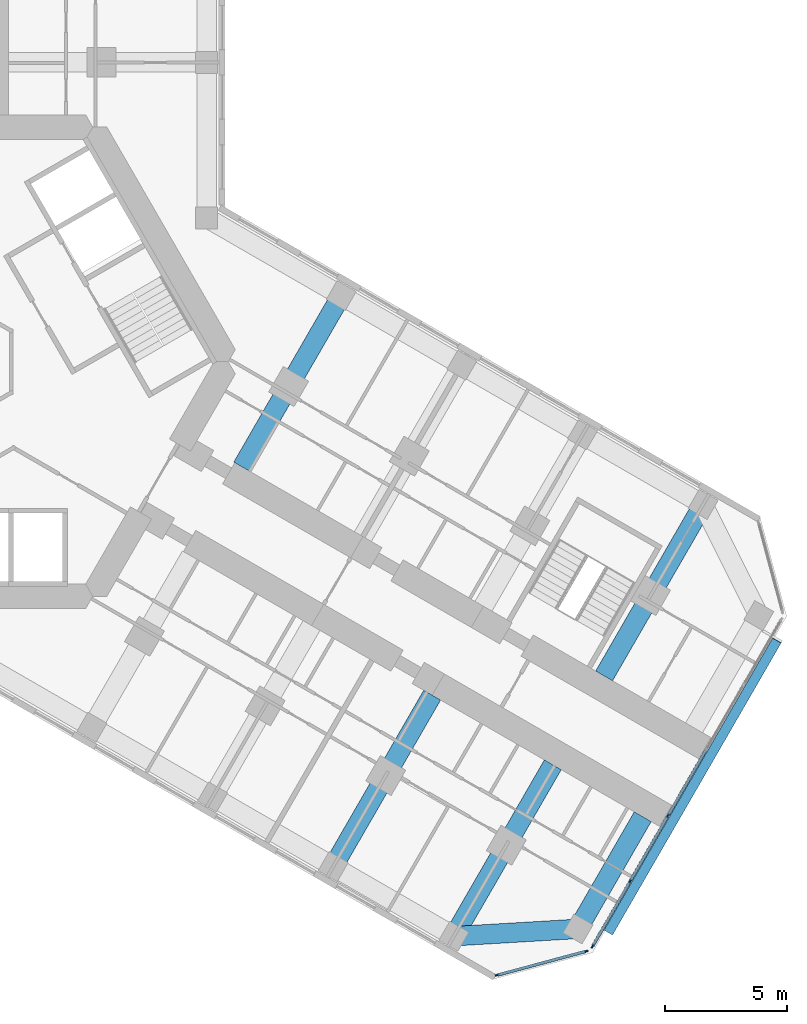
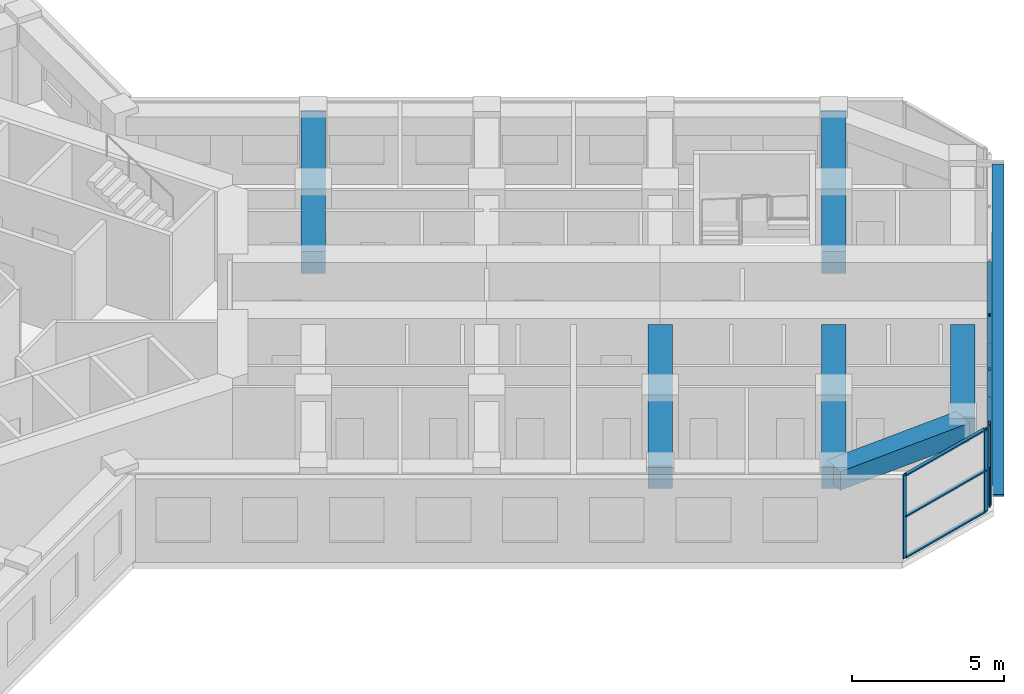
# One storey, part 5 of 21: 15 members, 6 beams, 2 elements without a shape of their own.
"""IFC4 building model written with IfcOpenShell, lengths in metres."""

from ifc_helpers import new_model, si_unit, direction, frame, origin, origin_2d, place, context, subcontext, project, spatial, rectangle, extrude, material, material_profile, profile_set, type_object, element, aggregate, save


model = new_model("IFC4")

# Units and contexts
model_context = context("Model", 3, precision=1e-05, world=origin(), true_north=direction((0.0, 1.0)))
body_context = subcontext(model_context, "Body", "Model", "MODEL_VIEW")
ifc_project = project(units=[si_unit("LENGTHUNIT", "METRE"), si_unit("AREAUNIT", "SQUARE_METRE"), si_unit("VOLUMEUNIT", "CUBIC_METRE"), si_unit("PLANEANGLEUNIT", "RADIAN"), si_unit("MASSUNIT", "GRAM", prefix="KILO")], contexts=[model_context])

# Site, building, storey
site_placement = place(None, origin())
site = spatial("IfcSite", under=ifc_project, at=site_placement, CompositionType="ELEMENT")
building_placement = place(site_placement, origin())
building = spatial("IfcBuilding", under=site, at=building_placement, Name="Kosmar Iwan School Tower", CompositionType="ELEMENT")
storey_placement = place(building_placement, frame((0.0, 0.0, 106.0)))
storey = spatial("IfcBuildingStorey", under=building, at=storey_placement, Name="L26", CompositionType="ELEMENT", Elevation=106.0)

# Member
ifc_material_1 = material(Name="Black anodised aluminium", Category="aluminium")
ifc_material_profile_1 = material_profile(ifc_material_1, rectangle(XDim=0.10009765625, YDim=0.39990234375, at=origin_2d()), Name="FIN 100x400")
ifc_profile_set_1 = profile_set([ifc_material_profile_1], Name="Black anodised aluminium")
member_type_1 = type_object("IfcMemberType", Name="Diagonal fin 100x400", PredefinedType="USERDEFINED", material=ifc_profile_set_1)
member_1_placement = place(storey_placement, frame((26.645263671875, -23.34912109375, -0.14990234375), z_axis=(0.483795538458, 0.837973939202, 0.252470897702), x_axis=(-0.126233699175, -0.218647221293, 0.967604488318)))
element("IfcMember", 1, at=member_1_placement, inside=storey, type_object=member_type_1, Name="Diagonal fin L26-F03", ObjectType="FIN", PredefinedType="USERDEFINED", context=body_context, shape_type="SweptSolid", body=[
    extrude(rectangle(XDim=0.10009765625, YDim=0.39990234375, at=origin_2d()), origin(), (0.0, 0.0, 1.0), 14.258544921875),
])

# Curtain wall, members
ifc_material_2 = material(Name="Dark glass in black aluminium frame", Category="aluminium")
curtain_wall_type_1 = type_object("IfcCurtainWallType", Name="Chamfer curtain wall dark glass", PredefinedType="USERDEFINED", material=ifc_material_2)
curtain_wall_1_placement = place(storey_placement, origin())
curtain_wall_1 = element("IfcCurtainWall", 2, at=curtain_wall_1_placement, inside=storey, type_object=curtain_wall_type_1, Name="Curtain wall L26-F02", ObjectType="FACETED CURTAIN WALL", PredefinedType="USERDEFINED")
ifc_material_3 = material(Name="Black anodised aluminium", Category="aluminium")
ifc_material_profile_2 = material_profile(ifc_material_3, rectangle(XDim=0.06005859375, YDim=0.159912109375, at=origin_2d()), Name="MULLION 60x160")
ifc_profile_set_2 = profile_set([ifc_material_profile_2], Name="Black anodised aluminium")
member_type_2 = type_object("IfcMemberType", Name="Mullion 60x160", PredefinedType="MULLION", material=ifc_profile_set_2)
member_2_placement = place(storey_placement, frame((22.0830078125, -25.102294921875, 0.0), z_axis=(0.0, 0.0, 1.0), x_axis=(-0.258818861462, 0.965925875495, 0.0)))
member_2 = element("IfcMember", 3, at=member_2_placement, type_object=member_type_2, Name="CW2 mullion 1", PredefinedType="MULLION", context=body_context, shape_type="SweptSolid", body=[
    extrude(rectangle(XDim=0.06005859375, YDim=0.159912109375, at=origin_2d()), origin(), (0.0, 0.0, 1.0), 3.35009765625),
])
member_3_placement = place(storey_placement, frame((25.733154296875, -24.124267578125, 0.0), z_axis=(0.0, 0.0, 1.0), x_axis=(-0.258818861462, 0.965925875495, 0.0)))
member_3 = element("IfcMember", 4, at=member_3_placement, type_object=member_type_2, Name="CW2 mullion 2", PredefinedType="MULLION", context=body_context, shape_type="SweptSolid", body=[
    extrude(rectangle(XDim=0.06005859375, YDim=0.159912109375, at=origin_2d()), origin(), (0.0, 0.0, 1.0), 3.35009765625),
])

ifc_material_4 = material(Name="Dark glass in black aluminium frame", Category="aluminium")
curtain_wall_type_2 = type_object("IfcCurtainWallType", Name="Tower curtain wall dark glass", PredefinedType="USERDEFINED", material=ifc_material_4)
curtain_wall_2_placement = place(storey_placement, origin())
curtain_wall_2 = element("IfcCurtainWall", 5, at=curtain_wall_2_placement, inside=storey, type_object=curtain_wall_type_2, Name="Curtain wall L26-F03", ObjectType="UNITISED CURTAIN WALL", PredefinedType="USERDEFINED")
member_4_placement = place(storey_placement, frame((25.9970703125, -23.921630859375, 0.0), z_axis=(0.0, 0.0, 1.0), x_axis=(-0.866025405329, 0.499999997325, 0.0)))
member_4 = element("IfcMember", 6, at=member_4_placement, type_object=member_type_2, Name="CW1 mullion 1", PredefinedType="MULLION", context=body_context, shape_type="SweptSolid", body=[
    extrude(rectangle(XDim=0.06005859375, YDim=0.159912109375, at=origin_2d()), origin(), (0.0, 0.0, 1.0), 3.35009765625),
])
member_5_placement = place(storey_placement, frame((27.53173828125, -21.263671875, 0.0), z_axis=(0.0, 0.0, 1.0), x_axis=(-0.866025405329, 0.499999997325, 0.0)))
member_5 = element("IfcMember", 7, at=member_5_placement, type_object=member_type_2, Name="CW1 mullion 2", PredefinedType="MULLION", context=body_context, shape_type="SweptSolid", body=[
    extrude(rectangle(XDim=0.06005859375, YDim=0.159912109375, at=origin_2d()), origin(), (0.0, 0.0, 1.0), 3.35009765625),
])
member_6_placement = place(storey_placement, frame((29.081298828125, -18.57958984375, 0.0), z_axis=(0.0, 0.0, 1.0), x_axis=(-0.866025405329, 0.499999997325, 0.0)))
member_6 = element("IfcMember", 8, at=member_6_placement, type_object=member_type_2, Name="CW1 mullion 3", PredefinedType="MULLION", context=body_context, shape_type="SweptSolid", body=[
    extrude(rectangle(XDim=0.06005859375, YDim=0.159912109375, at=origin_2d()), origin(), (0.0, 0.0, 1.0), 3.35009765625),
])

# Beams
ifc_material_5 = material(Name="Concrete C50/60", Category="concrete")
ifc_material_profile_3 = material_profile(ifc_material_5, rectangle(XDim=0.800048828125, YDim=0.75, at=origin_2d()), Name="RC 800x750")
ifc_profile_set_3 = profile_set([ifc_material_profile_3], Name="Concrete C50/60")
beam_type_1 = type_object("IfcBeamType", Name="RC tip beam 800x750", PredefinedType="BEAM", material=ifc_profile_set_3)
beam_1_placement = place(storey_placement, frame((20.31787109375, -23.508544921875, 2.97509765625), z_axis=(0.998260616478, 0.058955420358, 0.0), x_axis=(-0.058955420358, 0.998260616478, 0.0)))
element("IfcBeam", 9, at=beam_1_placement, inside=storey, type_object=beam_type_1, Name="Tip beam CR", PredefinedType="BEAM", context=body_context, shape_type="SweptSolid", body=[
    extrude(rectangle(XDim=0.800048828125, YDim=0.75, at=origin_2d()), origin(), (0.0, 0.0, 1.0), 5.08935546875),
])
beam_2_placement = place(storey_placement, frame((25.3984375, -23.20849609375, 2.97509765625), z_axis=(0.499993606316, 0.866029095148, 0.0), x_axis=(-0.866029095148, 0.499993606316, 0.0)))
element("IfcBeam", 10, at=beam_2_placement, inside=storey, type_object=beam_type_1, Name="Tip beam CR to corridor wall", PredefinedType="BEAM", context=body_context, shape_type="SweptSolid", body=[
    extrude(rectangle(XDim=0.800048828125, YDim=0.75, at=origin_2d()), origin(), (0.0, 0.0, 1.0), 5.2998046875),
])
ifc_material_6 = material(Name="Concrete C50/60", Category="concrete")
ifc_material_profile_4 = material_profile(ifc_material_6, rectangle(XDim=0.800048828125, YDim=0.89990234375, at=origin_2d()), Name="RC 800x900")
ifc_profile_set_4 = profile_set([ifc_material_profile_4], Name="Concrete C50/60")
beam_type_2 = type_object("IfcBeamType", Name="RC transverse beam 800x900", PredefinedType="BEAM", material=ifc_profile_set_4)
for number, where, z_axis, x_axis, name in (
    (11, (15.708740234375, 2.70849609375, 2.89990234375), (-0.499999880539, -0.866025472755, 0.0), (0.866025472755, -0.499999880539, 0.0), "Transverse beam CL1"),
    (12, (30.517822265625, -5.841552734375, 2.89990234375), (-0.499999880539, -0.866025472755, 0.0), (0.866025472755, -0.499999880539, 0.0), "Transverse beam CL4"),
    (13, (15.381591796875, -20.658447265625, 2.89990234375), (0.499977274689, 0.866038523851, 0.0), (-0.866038523851, 0.499977274689, 0.0), "Transverse beam CR3"),
    (14, (20.31787109375, -23.508544921875, 2.89990234375), (0.499999880539, 0.866025472755, 0.0), (-0.866025472755, 0.499999880539, 0.0), "Transverse beam CR4"),
):
    element("IfcBeam", number, at=place(storey_placement, frame(where, z_axis=z_axis, x_axis=x_axis)), inside=storey, type_object=beam_type_2, Name=name, PredefinedType="BEAM", context=body_context, shape_type="SweptSolid", body=[
        extrude(rectangle(XDim=0.800048828125, YDim=0.89990234375, at=origin_2d()), origin(), (0.0, 0.0, 1.0), 8.10009765625),
    ])

# Member
ifc_material_7 = material(Name="Black anodised aluminium", Category="aluminium")
ifc_material_profile_5 = material_profile(ifc_material_7, rectangle(XDim=0.1201171875, YDim=0.06005859375, at=origin_2d()), Name="TRANSOM 60x120")
ifc_profile_set_5 = profile_set([ifc_material_profile_5], Name="Black anodised aluminium")
member_type_3 = type_object("IfcMemberType", Name="Transom 60x120", PredefinedType="USERDEFINED", material=ifc_profile_set_5)
member_7_placement = place(storey_placement, frame((22.11181640625, -25.094482421875, 0.030029296875), z_axis=(0.965923731726, 0.258826861991, 0.0), x_axis=(-0.258826861991, 0.965923731726, 0.0)))
member_7 = element("IfcMember", 15, at=member_7_placement, type_object=member_type_3, Name="CW2 transom 1.1", ObjectType="TRANSOM", PredefinedType="USERDEFINED", context=body_context, shape_type="SweptSolid", body=[
    extrude(rectangle(XDim=0.1201171875, YDim=0.06005859375, at=origin_2d()), origin(), (0.0, 0.0, 1.0), 3.71923828125),
])

member_8_placement = place(storey_placement, frame((22.11181640625, -25.094482421875, 1.675048828125), z_axis=(0.965923731726, 0.258826861991, 0.0), x_axis=(-0.258826861991, 0.965923731726, 0.0)))
member_8 = element("IfcMember", 16, at=member_8_placement, type_object=member_type_3, Name="CW2 transom 1.2", ObjectType="TRANSOM", PredefinedType="USERDEFINED", context=body_context, shape_type="SweptSolid", body=[
    extrude(rectangle(XDim=0.1201171875, YDim=0.06005859375, at=origin_2d()), origin(), (0.0, 0.0, 1.0), 3.71923828125),
])

member_9_placement = place(storey_placement, frame((22.11181640625, -25.094482421875, 3.320068359375), z_axis=(0.965923731726, 0.258826861991, 0.0), x_axis=(-0.258826861991, 0.965923731726, 0.0)))
member_9 = element("IfcMember", 17, at=member_9_placement, type_object=member_type_3, Name="CW2 transom 1.3", ObjectType="TRANSOM", PredefinedType="USERDEFINED", context=body_context, shape_type="SweptSolid", body=[
    extrude(rectangle(XDim=0.1201171875, YDim=0.06005859375, at=origin_2d()), origin(), (0.0, 0.0, 1.0), 3.71923828125),
])

aggregate(curtain_wall_1, [member_2, member_3, member_7, member_8, member_9])

member_10_placement = place(storey_placement, frame((26.01220703125, -23.895751953125, 0.030029296875), z_axis=(0.499986971506, 0.866032925658, 0.0), x_axis=(-0.866032925658, 0.499986971506, 0.0)))
member_10 = element("IfcMember", 18, at=member_10_placement, type_object=member_type_3, Name="CW1 transom 1.1", ObjectType="TRANSOM", PredefinedType="USERDEFINED", context=body_context, shape_type="SweptSolid", body=[
    extrude(rectangle(XDim=0.1201171875, YDim=0.06005859375, at=origin_2d()), origin(), (0.0, 0.0, 1.0), 3.00927734375),
])

member_11_placement = place(storey_placement, frame((26.01220703125, -23.895751953125, 3.320068359375), z_axis=(0.499986971506, 0.866032925658, 0.0), x_axis=(-0.866032925658, 0.499986971506, 0.0)))
member_11 = element("IfcMember", 19, at=member_11_placement, type_object=member_type_3, Name="CW1 transom 1.2", ObjectType="TRANSOM", PredefinedType="USERDEFINED", context=body_context, shape_type="SweptSolid", body=[
    extrude(rectangle(XDim=0.1201171875, YDim=0.06005859375, at=origin_2d()), origin(), (0.0, 0.0, 1.0), 3.00927734375),
])

member_12_placement = place(storey_placement, frame((27.546875, -21.237548828125, 0.030029296875), z_axis=(0.499975102327, 0.866039777986, 0.0), x_axis=(-0.866039777986, 0.499975102327, 0.0)))
member_12 = element("IfcMember", 20, at=member_12_placement, type_object=member_type_3, Name="CW1 transom 2.1", ObjectType="TRANSOM", PredefinedType="USERDEFINED", context=body_context, shape_type="SweptSolid", body=[
    extrude(rectangle(XDim=0.1201171875, YDim=0.06005859375, at=origin_2d()), origin(), (0.0, 0.0, 1.0), 3.039306640625),
])

member_13_placement = place(storey_placement, frame((27.546875, -21.237548828125, 3.320068359375), z_axis=(0.499975102327, 0.866039777986, 0.0), x_axis=(-0.866039777986, 0.499975102327, 0.0)))
member_13 = element("IfcMember", 21, at=member_13_placement, type_object=member_type_3, Name="CW1 transom 2.2", ObjectType="TRANSOM", PredefinedType="USERDEFINED", context=body_context, shape_type="SweptSolid", body=[
    extrude(rectangle(XDim=0.1201171875, YDim=0.06005859375, at=origin_2d()), origin(), (0.0, 0.0, 1.0), 3.039306640625),
])

member_14_placement = place(storey_placement, frame((29.096435546875, -18.553466796875, 0.030029296875), z_axis=(0.499975102327, 0.866039777986, 0.0), x_axis=(-0.866039777986, 0.499975102327, 0.0)))
member_14 = element("IfcMember", 22, at=member_14_placement, type_object=member_type_3, Name="CW1 transom 3.1", ObjectType="TRANSOM", PredefinedType="USERDEFINED", context=body_context, shape_type="SweptSolid", body=[
    extrude(rectangle(XDim=0.1201171875, YDim=0.06005859375, at=origin_2d()), origin(), (0.0, 0.0, 1.0), 3.039306640625),
])

member_15_placement = place(storey_placement, frame((29.096435546875, -18.553466796875, 3.320068359375), z_axis=(0.499975102327, 0.866039777986, 0.0), x_axis=(-0.866039777986, 0.499975102327, 0.0)))
member_15 = element("IfcMember", 23, at=member_15_placement, type_object=member_type_3, Name="CW1 transom 3.2", ObjectType="TRANSOM", PredefinedType="USERDEFINED", context=body_context, shape_type="SweptSolid", body=[
    extrude(rectangle(XDim=0.1201171875, YDim=0.06005859375, at=origin_2d()), origin(), (0.0, 0.0, 1.0), 3.039306640625),
])

aggregate(curtain_wall_2, [member_4, member_5, member_6, member_10, member_11, member_12, member_13, member_14, member_15])

save(model, "model.ifc")
